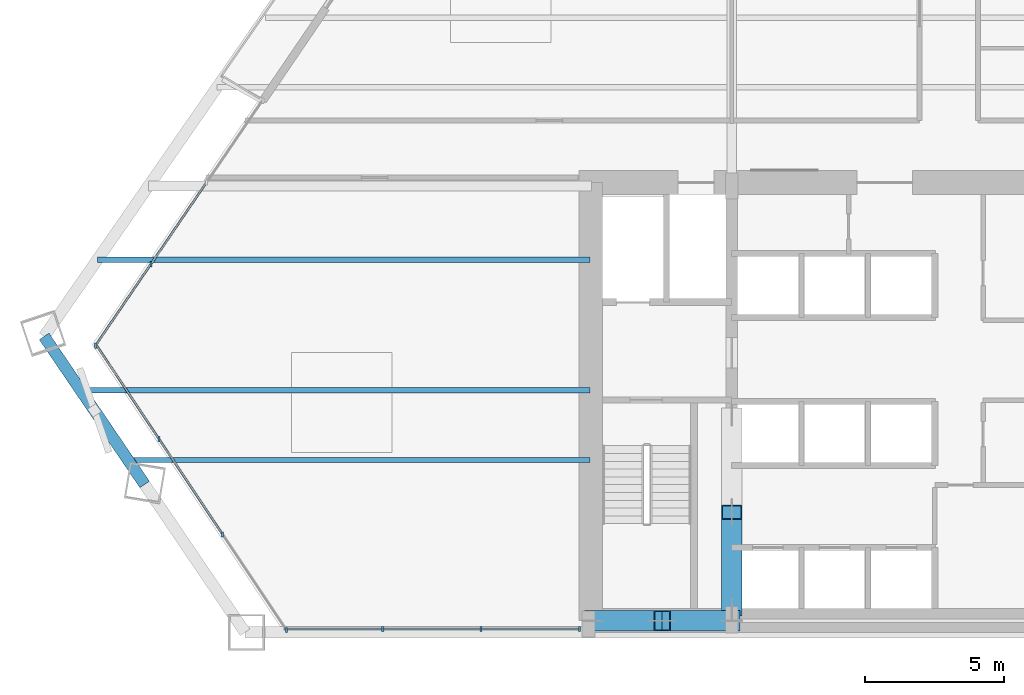
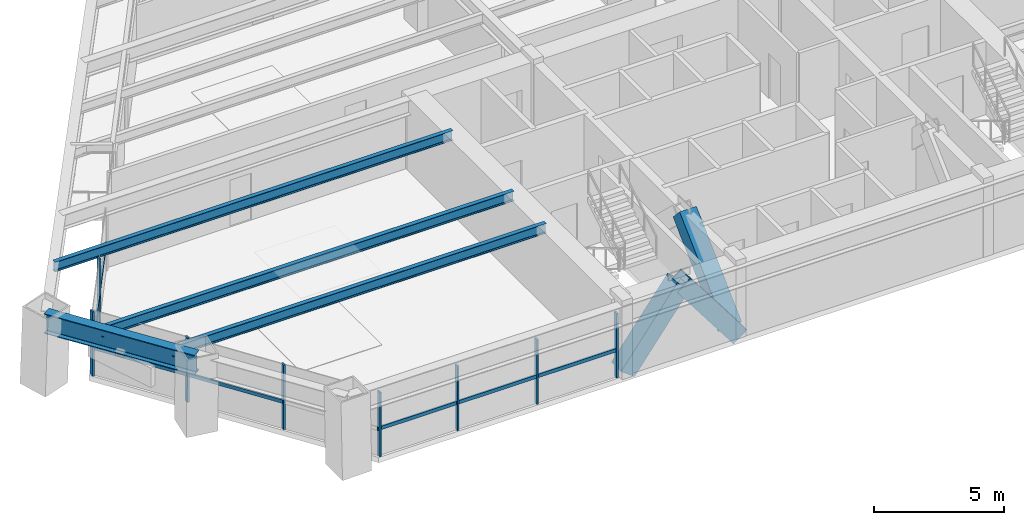
# One storey, part 2 of 14: 18 members, 4 beams, 3 elements without a shape of their own.
"""IFC4 building model written with IfcOpenShell, lengths in metres."""

from ifc_helpers import new_model, si_unit, direction, frame, origin, origin_2d, place, context, subcontext, project, spatial, rectangle, hollow_rectangle, i_section, extrude, source, transform, mapped, material, material_profile, profile_set, type_object, type_shapes, element, aggregate, save


model = new_model("IFC4")

# Units and contexts
model_context = context("Model", 3, precision=1e-05, world=origin(), true_north=direction((0.0, 1.0)))
body_context = subcontext(model_context, "Body", "Model", "MODEL_VIEW")
ifc_project = project(units=[si_unit("LENGTHUNIT", "METRE"), si_unit("AREAUNIT", "SQUARE_METRE"), si_unit("VOLUMEUNIT", "CUBIC_METRE"), si_unit("PLANEANGLEUNIT", "RADIAN"), si_unit("MASSUNIT", "GRAM", prefix="KILO")], contexts=[model_context])

# Site, building, storey
site_placement = place(None, origin())
site = spatial("IfcSite", under=ifc_project, at=site_placement, CompositionType="ELEMENT")
building_placement = place(site_placement, origin())
building = spatial("IfcBuilding", under=site, at=building_placement, Name="Varnakhor Terracotta Tower", CompositionType="ELEMENT")
storey_placement = place(building_placement, frame((0.0, 0.0, 53.39990234375)))
storey = spatial("IfcBuildingStorey", under=building, at=storey_placement, Name="L12", CompositionType="ELEMENT", Elevation=53.39990234375)

# Members
ifc_material_1 = material(Name="Steel S460", Category="steel")
ifc_material_profile_1 = material_profile(ifc_material_1, hollow_rectangle(XDim=0.75, YDim=0.75, WallThickness=0.044921875, at=origin_2d()), Name="HSS750X750X45")
ifc_profile_set_1 = profile_set([ifc_material_profile_1], Name="Steel S460")
member_type_1 = type_object("IfcMemberType", Name="MBR-MEGA-750", PredefinedType="BRACE", material=ifc_profile_set_1)
shared_shape_1 = source(origin(), body_context, "Body", "SweptSolid", [
    extrude(hollow_rectangle(XDim=0.75, YDim=0.75, WallThickness=0.044921875, at=origin_2d()), origin(), (0.0, 0.0, 1.0), 4.14013671875),
])
type_shapes(member_type_1, [shared_shape_1])
for number, where, z_axis, x_axis, name in (
    (1, (-10.5, 0.419921875, 0.0), (0.603852011179, 0.0, 0.797096448741), (0.0, 1.0, 0.0), "L12 Core Coupled Brace CSWA"),
    (2, (-5.5, 0.419921875, 0.0), (-0.603852011179, 0.0, 0.797096448741), (0.0, -1.0, 0.0), "L12 Core Coupled Brace CSWB"),
):
    element("IfcMember", number, at=place(storey_placement, frame(where, z_axis=z_axis, x_axis=x_axis)), inside=storey, type_object=member_type_1, Name=name, PredefinedType="BRACE", context=body_context, shape_type="MappedRepresentation", body=[
        mapped(shared_shape_1, transform((0.0, 0.0, 0.0), scale=1.0)),
    ])
shared_shape_2 = source(origin(), body_context, "Body", "SweptSolid", [
    extrude(hollow_rectangle(XDim=0.75, YDim=0.75, WallThickness=0.044921875, at=origin_2d()), origin(), (0.0, 0.0, 1.0), 4.792236328125),
])
member_1_placement = place(storey_placement, frame((-5.5, 0.85009765625, 0.0), z_axis=(0.0, 0.725110085518, 0.688632967466), x_axis=(-1.0, 0.0, 0.0)))
element("IfcMember", 3, at=member_1_placement, inside=storey, type_object=member_type_1, Name="L12 Core Coupled Brace CWWA", PredefinedType="BRACE", context=body_context, shape_type="MappedRepresentation", body=[
    mapped(shared_shape_2, transform((0.0, 0.0, 0.0), scale=1.0)),
])

# Beams
ifc_material_2 = material(Name="Steel S355", Category="steel")
ifc_material_profile_2 = material_profile(ifc_material_2, i_section(OverallWidth=0.41796875, OverallDepth=0.927001953125, WebThickness=0.01904296875, FlangeThickness=0.031982421875, FilletRadius=0.01806640625, at=origin_2d()), Name="W36X231")
ifc_profile_set_2 = profile_set([ifc_material_profile_2], Name="Steel S355")
beam_type_1 = type_object("IfcBeamType", Name="BM-W36X231", PredefinedType="BEAM", material=ifc_profile_set_2)
shared_shape_3 = source(origin(), body_context, "Body", "SweptSolid", [
    extrude(i_section(OverallWidth=0.41796875, OverallDepth=0.927001953125, WebThickness=0.01904296875, FlangeThickness=0.031982421875, FilletRadius=0.01806640625, at=origin_2d()), origin(), (0.0, 0.0, 1.0), 6.4306640625),
])
beam_1_placement = place(storey_placement, frame((-30.222412109375, 10.64013671875, 2.986572265625), z_axis=(0.561741855696, -0.827312569443, 0.0), x_axis=(0.827312569443, 0.561741855696, 0.0)))
element("IfcBeam", 4, at=beam_1_placement, inside=storey, type_object=beam_type_1, Name="L12 Perimeter Spandrel 7", PredefinedType="BEAM", context=body_context, shape_type="MappedRepresentation", body=[
    mapped(shared_shape_3, transform((0.0, 0.0, 0.0), scale=1.0)),
])
ifc_material_profile_3 = material_profile(ifc_material_2, i_section(OverallWidth=0.19189453125, OverallDepth=0.462890625, WebThickness=0.010498046875, FlangeThickness=0.017578125, FilletRadius=0.01806640625, at=origin_2d()), Name="W18X60")
ifc_profile_set_3 = profile_set([ifc_material_profile_3], Name="Steel S355")
beam_type_2 = type_object("IfcBeamType", Name="JST-W18X60", PredefinedType="JOIST", material=ifc_profile_set_3)
shared_shape_4 = source(origin(), body_context, "Body", "SweptSolid", [
    extrude(i_section(OverallWidth=0.19189453125, OverallDepth=0.462890625, WebThickness=0.010498046875, FlangeThickness=0.017578125, FilletRadius=0.01806640625, at=origin_2d()), origin(), (0.0, 0.0, 1.0), 16.607421875),
])
beam_2_placement = place(storey_placement, frame((-27.20751953125, 6.199951171875, 3.218505859375), z_axis=(1.0, 0.0, 0.0), x_axis=(0.0, 1.0, 0.0)))
element("IfcBeam", 5, at=beam_2_placement, inside=storey, type_object=beam_type_2, Name="L12 Floor Joist W1", PredefinedType="JOIST", context=body_context, shape_type="MappedRepresentation", body=[
    mapped(shared_shape_4, transform((0.0, 0.0, 0.0), scale=1.0)),
])
shared_shape_5 = source(origin(), body_context, "Body", "SweptSolid", [
    extrude(i_section(OverallWidth=0.19189453125, OverallDepth=0.462890625, WebThickness=0.010498046875, FlangeThickness=0.017578125, FilletRadius=0.01806640625, at=origin_2d()), origin(), (0.0, 0.0, 1.0), 18.304931640625),
])
beam_3_placement = place(storey_placement, frame((-28.905029296875, 8.699951171875, 3.218505859375), z_axis=(1.0, 0.0, 0.0), x_axis=(0.0, 1.0, 0.0)))
element("IfcBeam", 6, at=beam_3_placement, inside=storey, type_object=beam_type_2, Name="L12 Floor Joist W2", PredefinedType="JOIST", context=body_context, shape_type="MappedRepresentation", body=[
    mapped(shared_shape_5, transform((0.0, 0.0, 0.0), scale=1.0)),
])
shared_shape_6 = source(origin(), body_context, "Body", "SweptSolid", [
    extrude(i_section(OverallWidth=0.19189453125, OverallDepth=0.462890625, WebThickness=0.010498046875, FlangeThickness=0.017578125, FilletRadius=0.01806640625, at=origin_2d()), origin(), (0.0, 0.0, 1.0), 17.707275390625),
])
beam_4_placement = place(storey_placement, frame((-28.307373046875, 13.39990234375, 3.218505859375), z_axis=(1.0, 0.0, 0.0), x_axis=(0.0, 1.0, 0.0)))
element("IfcBeam", 7, at=beam_4_placement, inside=storey, type_object=beam_type_2, Name="L12 Floor Joist W3", PredefinedType="JOIST", context=body_context, shape_type="MappedRepresentation", body=[
    mapped(shared_shape_6, transform((0.0, 0.0, 0.0), scale=1.0)),
])

# Curtain wall, members
ifc_material_3 = material(Name="Anodised Aluminium Curtain Wall System", Category="aluminium")
curtain_wall_type = type_object("IfcCurtainWallType", Name="CW-SYS-LOW-OFFICE", PredefinedType="NOTDEFINED", material=ifc_material_3)
curtain_wall_1_placement = place(storey_placement, origin())
curtain_wall_1 = element("IfcCurtainWall", 8, at=curtain_wall_1_placement, inside=storey, type_object=curtain_wall_type, Name="L12 W Facet Curtain Wall 1", PredefinedType="NOTDEFINED")
ifc_material_4 = material(Name="Anodised Aluminium 6063-T6", Category="aluminium")
ifc_material_profile_4 = material_profile(ifc_material_4, rectangle(XDim=0.074951171875, YDim=0.18505859375, at=origin_2d()), Name="ALU MULLION 75x185")
ifc_profile_set_4 = profile_set([ifc_material_profile_4], Name="Anodised Aluminium 6063-T6")
member_type_2 = type_object("IfcMemberType", Name="CWM-02", PredefinedType="MULLION", material=ifc_profile_set_4)
shared_shape_7 = source(origin(), body_context, "Body", "SweptSolid", [
    extrude(rectangle(XDim=0.074951171875, YDim=0.18505859375, at=origin_2d()), origin(), (0.0, 0.0, 1.0), 3.030029296875),
])
type_shapes(member_type_2, [shared_shape_7])
member_2_placement = place(storey_placement, frame((-28.381591796875, 10.304931640625, 0.0), z_axis=(0.0, 0.0, 1.0), x_axis=(1.0, 0.0, 0.0)))
member_2 = element("IfcMember", 9, at=member_2_placement, type_object=member_type_2, Name="L12 W Facet Curtain Wall 1 Mullion 1", PredefinedType="MULLION", context=body_context, shape_type="MappedRepresentation", body=[
    mapped(shared_shape_7, transform((0.0, 0.0, 0.0), scale=1.0)),
])
member_3_placement = place(storey_placement, frame((-26.385498046875, 13.23681640625, 0.0), z_axis=(0.0, 0.0, 1.0), x_axis=(1.0, 0.0, 0.0)))
member_3 = element("IfcMember", 10, at=member_3_placement, type_object=member_type_2, Name="L12 W Facet Curtain Wall 1 Mullion 2", PredefinedType="MULLION", context=body_context, shape_type="MappedRepresentation", body=[
    mapped(shared_shape_7, transform((0.0, 0.0, 0.0), scale=1.0)),
])

curtain_wall_2_placement = place(storey_placement, origin())
curtain_wall_2 = element("IfcCurtainWall", 11, at=curtain_wall_2_placement, inside=storey, type_object=curtain_wall_type, Name="L12 South Wing Curtain Wall SSW", PredefinedType="NOTDEFINED")
member_4_placement = place(storey_placement, frame((-10.969970703125, 0.1201171875, 0.0), z_axis=(0.0, 0.0, 1.0), x_axis=(1.0, 0.0, 0.0)))
member_4 = element("IfcMember", 12, at=member_4_placement, type_object=member_type_2, Name="L12 South Wing Curtain Wall SSW Mullion 1", PredefinedType="MULLION", context=body_context, shape_type="MappedRepresentation", body=[
    mapped(shared_shape_7, transform((0.0, 0.0, 0.0), scale=1.0)),
])
member_5_placement = place(storey_placement, frame((-14.5087890625, 0.1201171875, 0.0), z_axis=(0.0, 0.0, 1.0), x_axis=(1.0, 0.0, 0.0)))
member_5 = element("IfcMember", 13, at=member_5_placement, type_object=member_type_2, Name="L12 South Wing Curtain Wall SSW Mullion 2", PredefinedType="MULLION", context=body_context, shape_type="MappedRepresentation", body=[
    mapped(shared_shape_7, transform((0.0, 0.0, 0.0), scale=1.0)),
])
member_6_placement = place(storey_placement, frame((-18.04736328125, 0.1201171875, 0.0), z_axis=(0.0, 0.0, 1.0), x_axis=(1.0, 0.0, 0.0)))
member_6 = element("IfcMember", 14, at=member_6_placement, type_object=member_type_2, Name="L12 South Wing Curtain Wall SSW Mullion 3", PredefinedType="MULLION", context=body_context, shape_type="MappedRepresentation", body=[
    mapped(shared_shape_7, transform((0.0, 0.0, 0.0), scale=1.0)),
])

curtain_wall_3_placement = place(storey_placement, origin())
curtain_wall_3 = element("IfcCurtainWall", 15, at=curtain_wall_3_placement, inside=storey, type_object=curtain_wall_type, Name="L12 Facet Curtain Wall 6", PredefinedType="NOTDEFINED")
member_7_placement = place(storey_placement, frame((-21.512939453125, 0.091552734375, 0.0), z_axis=(0.0, 0.0, 1.0), x_axis=(1.0, 0.0, 0.0)))
member_7 = element("IfcMember", 16, at=member_7_placement, type_object=member_type_2, Name="L12 Facet Curtain Wall 6 Mullion 1", PredefinedType="MULLION", context=body_context, shape_type="MappedRepresentation", body=[
    mapped(shared_shape_7, transform((0.0, 0.0, 0.0), scale=1.0)),
])
member_8_placement = place(storey_placement, frame((-23.80224609375, 3.524169921875, 0.0), z_axis=(0.0, 0.0, 1.0), x_axis=(1.0, 0.0, 0.0)))
member_8 = element("IfcMember", 17, at=member_8_placement, type_object=member_type_2, Name="L12 Facet Curtain Wall 6 Mullion 2", PredefinedType="MULLION", context=body_context, shape_type="MappedRepresentation", body=[
    mapped(shared_shape_7, transform((0.0, 0.0, 0.0), scale=1.0)),
])
member_9_placement = place(storey_placement, frame((-26.091796875, 6.956787109375, 0.0), z_axis=(0.0, 0.0, 1.0), x_axis=(1.0, 0.0, 0.0)))
member_9 = element("IfcMember", 18, at=member_9_placement, type_object=member_type_2, Name="L12 Facet Curtain Wall 6 Mullion 3", PredefinedType="MULLION", context=body_context, shape_type="MappedRepresentation", body=[
    mapped(shared_shape_7, transform((0.0, 0.0, 0.0), scale=1.0)),
])

# Member
ifc_material_profile_5 = material_profile(ifc_material_4, rectangle(XDim=0.074951171875, YDim=0.1650390625, at=origin_2d()), Name="ALU TRANSOM 75x165")
ifc_profile_set_5 = profile_set([ifc_material_profile_5], Name="Anodised Aluminium 6063-T6")
member_type_3 = type_object("IfcMemberType", Name="CWT-02", PredefinedType="USERDEFINED", material=ifc_profile_set_5)
shared_shape_8 = source(origin(), body_context, "Body", "SweptSolid", [
    extrude(rectangle(XDim=0.074951171875, YDim=0.1650390625, at=origin_2d()), origin(), (0.0, 0.0, 1.0), 3.546875),
])
member_10_placement = place(storey_placement, frame((-28.381591796875, 10.304931640625, 1.272705078125), z_axis=(0.562774966435, 0.826610148228, 0.0), x_axis=(-0.826610148228, 0.562774966435, 0.0)))
member_10 = element("IfcMember", 19, at=member_10_placement, type_object=member_type_3, Name="L12 W Facet Curtain Wall 1 Transom 1", ObjectType="TRANSOM", PredefinedType="USERDEFINED", context=body_context, shape_type="MappedRepresentation", body=[
    mapped(shared_shape_8, transform((0.0, 0.0, 0.0), scale=1.0)),
])

member_11_placement = place(storey_placement, frame((-26.385498046875, 13.23681640625, 1.272705078125), z_axis=(0.562774966435, 0.826610148228, 0.0), x_axis=(-0.826610148228, 0.562774966435, 0.0)))
member_11 = element("IfcMember", 20, at=member_11_placement, type_object=member_type_3, Name="L12 W Facet Curtain Wall 1 Transom 2", ObjectType="TRANSOM", PredefinedType="USERDEFINED", context=body_context, shape_type="MappedRepresentation", body=[
    mapped(shared_shape_8, transform((0.0, 0.0, 0.0), scale=1.0)),
])

aggregate(curtain_wall_1, [member_2, member_10, member_3, member_11])

shared_shape_9 = source(origin(), body_context, "Body", "SweptSolid", [
    extrude(rectangle(XDim=0.074951171875, YDim=0.1650390625, at=origin_2d()), origin(), (0.0, 0.0, 1.0), 3.538818359375),
])
member_12_placement = place(storey_placement, frame((-10.969970703125, 0.1201171875, 1.272705078125), z_axis=(-1.0, 0.0, 0.0), x_axis=(0.0, -1.0, 0.0)))
member_12 = element("IfcMember", 21, at=member_12_placement, type_object=member_type_3, Name="L12 South Wing Curtain Wall SSW Transom 1", ObjectType="TRANSOM", PredefinedType="USERDEFINED", context=body_context, shape_type="MappedRepresentation", body=[
    mapped(shared_shape_9, transform((0.0, 0.0, 0.0), scale=1.0)),
])

member_13_placement = place(storey_placement, frame((-18.04736328125, 0.1201171875, 1.272705078125), z_axis=(-1.0, 0.0, 0.0), x_axis=(0.0, -1.0, 0.0)))
member_13 = element("IfcMember", 22, at=member_13_placement, type_object=member_type_3, Name="L12 South Wing Curtain Wall SSW Transom 3", ObjectType="TRANSOM", PredefinedType="USERDEFINED", context=body_context, shape_type="MappedRepresentation", body=[
    mapped(shared_shape_9, transform((0.0, 0.0, 0.0), scale=1.0)),
])

shared_shape_10 = source(origin(), body_context, "Body", "SweptSolid", [
    extrude(rectangle(XDim=0.074951171875, YDim=0.1650390625, at=origin_2d()), origin(), (0.0, 0.0, 1.0), 3.53857421875),
])
member_14_placement = place(storey_placement, frame((-14.5087890625, 0.1201171875, 1.272705078125), z_axis=(-1.0, 0.0, 0.0), x_axis=(0.0, -1.0, 0.0)))
member_14 = element("IfcMember", 23, at=member_14_placement, type_object=member_type_3, Name="L12 South Wing Curtain Wall SSW Transom 2", ObjectType="TRANSOM", PredefinedType="USERDEFINED", context=body_context, shape_type="MappedRepresentation", body=[
    mapped(shared_shape_10, transform((0.0, 0.0, 0.0), scale=1.0)),
])

aggregate(curtain_wall_2, [member_4, member_12, member_5, member_14, member_6, member_13])

shared_shape_11 = source(origin(), body_context, "Body", "SweptSolid", [
    extrude(rectangle(XDim=0.074951171875, YDim=0.1650390625, at=origin_2d()), origin(), (0.0, 0.0, 1.0), 4.1259765625),
])
member_15_placement = place(storey_placement, frame((-26.091796875, 6.956787109375, 1.272705078125), z_axis=(-0.554850391557, 0.831950144533, 0.0), x_axis=(-0.831950144533, -0.554850391557, 0.0)))
member_15 = element("IfcMember", 24, at=member_15_placement, type_object=member_type_3, Name="L12 Facet Curtain Wall 6 Transom 3", ObjectType="TRANSOM", PredefinedType="USERDEFINED", context=body_context, shape_type="MappedRepresentation", body=[
    mapped(shared_shape_11, transform((0.0, 0.0, 0.0), scale=1.0)),
])

shared_shape_12 = source(origin(), body_context, "Body", "SweptSolid", [
    extrude(rectangle(XDim=0.074951171875, YDim=0.1650390625, at=origin_2d()), origin(), (0.0, 0.0, 1.0), 4.126220703125),
])
member_16_placement = place(storey_placement, frame((-23.80224609375, 3.524169921875, 1.272705078125), z_axis=(-0.554891344507, 0.83192283043, 0.0), x_axis=(-0.83192283043, -0.554891344507, 0.0)))
member_16 = element("IfcMember", 25, at=member_16_placement, type_object=member_type_3, Name="L12 Facet Curtain Wall 6 Transom 2", ObjectType="TRANSOM", PredefinedType="USERDEFINED", context=body_context, shape_type="MappedRepresentation", body=[
    mapped(shared_shape_12, transform((0.0, 0.0, 0.0), scale=1.0)),
])

aggregate(curtain_wall_3, [member_7, member_8, member_16, member_9, member_15])

save(model, "model.ifc")
